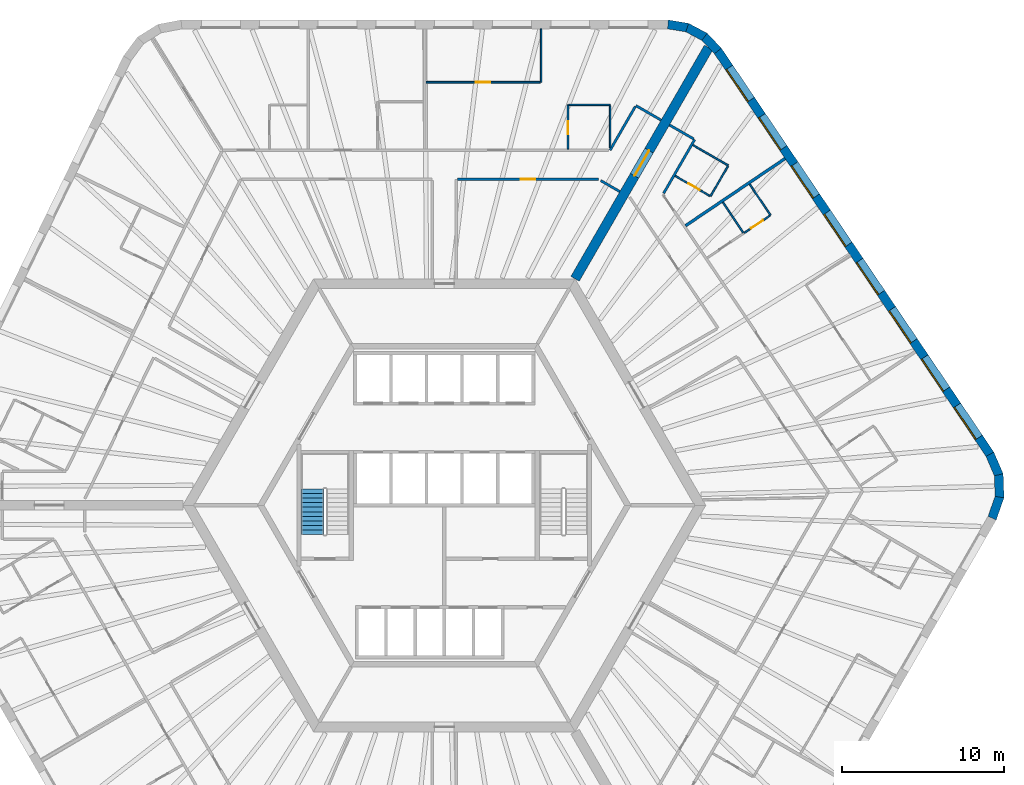
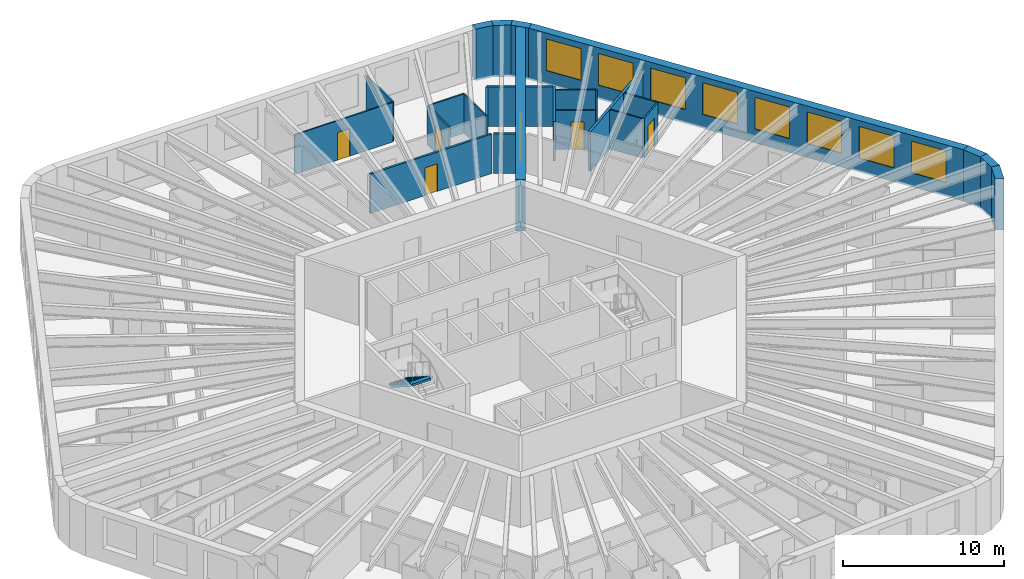
# One storey, part 10 of 12: 26 walls, 8 windows, 6 doors, 1 stair flight, 14 openings, 1 element without a shape of its own.
"""IFC4 building model written with IfcOpenShell, lengths in metres."""

from ifc_helpers import new_model, si_unit, direction, frame, frame_2d, origin, place, context, subcontext, project, spatial, polyline, rectangle, outline, extrude, material, layer, layer_set, type_object, element, fill, aggregate, save


model = new_model("IFC4")

# Units and contexts
model_context = context("Model", 3, precision=1e-05, world=origin(), true_north=direction((0.0, 1.0)))
body_context = subcontext(model_context, "Body", "Model", "MODEL_VIEW")
ifc_project = project(units=[si_unit("LENGTHUNIT", "METRE"), si_unit("AREAUNIT", "SQUARE_METRE"), si_unit("VOLUMEUNIT", "CUBIC_METRE"), si_unit("PLANEANGLEUNIT", "RADIAN"), si_unit("MASSUNIT", "GRAM", prefix="KILO")], contexts=[model_context])

# Site, building, storey
site_placement = place(None, origin())
site = spatial("IfcSite", under=ifc_project, at=site_placement, CompositionType="ELEMENT")
building_placement = place(site_placement, origin())
building = spatial("IfcBuilding", under=site, at=building_placement, Name="Tarnside Tower", CompositionType="ELEMENT")
storey_placement = place(building_placement, frame((0.0, 0.0, 127.199951171875)))
storey = spatial("IfcBuildingStorey", under=building, at=storey_placement, Name="L29", CompositionType="ELEMENT", Elevation=127.199951171875)

# Wall, opening, door
ifc_material_1 = material(Name="Gypsum board partition on steel studs", Category="steel")
ifc_layer_1 = layer(ifc_material_1, 0.10009765625)
ifc_layer_set_1 = layer_set([ifc_layer_1], Name="Bathroom wall 100")
wall_type_1 = type_object("IfcWallType", Name="Bathroom wall 100", PredefinedType="PARTITIONING", material=ifc_layer_set_1)
wall_1_placement = place(storey_placement, frame((7.64794921875, 22.02490234375, 0.0), z_axis=(0.0, 0.0, 1.0), x_axis=(0.0, 1.0, 0.0)))
wall_1 = element("IfcWall", 1, at=wall_1_placement, inside=storey, type_object=wall_type_1, Name="Bathroom wall 09081", PredefinedType="PARTITIONING", context=body_context, shape_type="SweptSolid", body=[
    extrude(rectangle(XDim=2.72509765625, YDim=0.10009765625, at=frame_2d((1.362548828125, 0.0))), origin(), (0.0, 0.0, 1.0), 2.98779296875),
])
opening_1_placement = place(wall_1_placement, frame((0.925048828125, 0.0, 0.0)))
opening_1 = element("IfcOpeningElement", 2, at=opening_1_placement, cuts=wall_1, Name="Opening D-B1", PredefinedType="OPENING", context=body_context, shape_type="SweptSolid", body=[
    extrude(rectangle(XDim=0.800048828125, YDim=2.10009765625, at=frame_2d((0.39990234375, 1.050048828125))), frame((0.0, 0.06005859375, 0.0), z_axis=(0.0, -1.0, 0.0), x_axis=(1.0, 0.0, 0.0)), (0.0, 0.0, 1.0), 0.1201171875),
])
ifc_material_2 = material(Name="Timber door leaf", Category="wood")
door_type_1 = type_object("IfcDoorType", Name="Bathroom door 800", OperationType="NOTDEFINED", PredefinedType="DOOR", material=ifc_material_2)
door_1_placement = place(opening_1_placement, origin())
door_1 = element("IfcDoor", 3, at=door_1_placement, inside=storey, type_object=door_type_1, Name="Bathroom door 09002", OperationType="SINGLE_SWING_RIGHT", OverallHeight=2.10009765625, OverallWidth=0.800048828125, PredefinedType="DOOR", context=body_context, shape_type="SweptSolid", body=[
    extrude(rectangle(XDim=0.800048828125, YDim=2.10009765625, at=frame_2d((0.39990234375, 1.050048828125))), frame((0.0, 0.02490234375, 0.0), z_axis=(0.0, -1.0, 0.0), x_axis=(1.0, 0.0, 0.0)), (0.0, 0.0, 1.0), 0.050048828125),
])
fill(opening_1, door_1)

# Walls
wall_2_placement = place(storey_placement, frame((7.697998046875, 24.75, 0.0), z_axis=(0.0, 0.0, 1.0), x_axis=(1.0, 0.0, 0.0)))
element("IfcWall", 4, at=wall_2_placement, inside=storey, type_object=wall_type_1, Name="Bathroom wall 09082", PredefinedType="PARTITIONING", context=body_context, shape_type="SweptSolid", body=[
    extrude(rectangle(XDim=2.550048828125, YDim=0.10009765625, at=frame_2d((1.27490234375, 0.0))), origin(), (0.0, 0.0, 1.0), 2.98779296875),
])
wall_3_placement = place(storey_placement, frame((10.248046875, 24.699951171875, 0.0), z_axis=(0.0, 0.0, 1.0), x_axis=(0.0, -1.0, 0.0)))
element("IfcWall", 5, at=wall_3_placement, inside=storey, type_object=wall_type_1, Name="Bathroom wall 09083", PredefinedType="PARTITIONING", context=body_context, shape_type="SweptSolid", body=[
    extrude(rectangle(XDim=2.599853515625, YDim=0.10009765625, at=frame_2d((1.2998046875, 0.0))), origin(), (0.0, 0.0, 1.0), 2.98779296875),
])
wall_4_placement = place(storey_placement, frame((18.48388671875, 16.856689453125, 0.0), z_axis=(0.0, 0.0, 1.0), x_axis=(-0.559203826655, 0.82903020467, 0.0)))
element("IfcWall", 6, at=wall_4_placement, inside=storey, type_object=wall_type_1, Name="Bathroom wall 09168", PredefinedType="PARTITIONING", context=body_context, shape_type="SweptSolid", body=[
    extrude(rectangle(XDim=2.26025390625, YDim=0.10009765625, at=frame_2d((1.130126953125, 0.0))), origin(), (0.0, 0.0, 1.0), 2.98779296875),
])
wall_5_placement = place(storey_placement, frame((15.36865234375, 22.26953125, 0.0), z_axis=(0.0, 0.0, 1.0), x_axis=(0.866039067339, -0.499976333282, 0.0)))
element("IfcWall", 7, at=wall_5_placement, inside=storey, type_object=wall_type_1, Name="Bathroom wall 09171", PredefinedType="PARTITIONING", context=body_context, shape_type="SweptSolid", body=[
    extrude(rectangle(XDim=2.52490234375, YDim=0.10009765625, at=frame_2d((1.262451171875, 0.0))), origin(), (0.0, 0.0, 1.0), 2.98779296875),
])
wall_6_placement = place(storey_placement, frame((17.530517578125, 20.963623046875, 0.0), z_axis=(0.0, 0.0, 1.0), x_axis=(-0.500010803666, -0.866019166195, 0.0)))
element("IfcWall", 8, at=wall_6_placement, inside=storey, type_object=wall_type_1, Name="Bathroom wall 09172", PredefinedType="PARTITIONING", context=body_context, shape_type="SweptSolid", body=[
    extrude(rectangle(XDim=2.14990234375, YDim=0.10009765625, at=frame_2d((1.074951171875, 0.0))), origin(), (0.0, 0.0, 1.0), 2.98779296875),
])

# Wall, opening, door
wall_7_placement = place(storey_placement, frame((16.412109375, 19.126708984375, 0.0), z_axis=(0.0, 0.0, 1.0), x_axis=(-0.866006523861, 0.500032699561, 0.0)))
wall_7 = element("IfcWall", 9, at=wall_7_placement, inside=storey, type_object=wall_type_1, Name="Bathroom wall 09173", PredefinedType="PARTITIONING", context=body_context, shape_type="SweptSolid", body=[
    extrude(rectangle(XDim=2.474853515625, YDim=0.10009765625, at=frame_2d((1.2373046875, 0.0))), origin(), (0.0, 0.0, 1.0), 2.98779296875),
])
opening_2_placement = place(wall_7_placement, frame((0.719970703125, 0.0, 0.0)))
opening_2 = element("IfcOpeningElement", 10, at=opening_2_placement, cuts=wall_7, Name="Opening D-B1", PredefinedType="OPENING", context=body_context, shape_type="SweptSolid", body=[
    extrude(rectangle(XDim=0.800048828125, YDim=2.10009765625, at=frame_2d((0.39990234375, 1.050048828125))), frame((0.0, 0.06005859375, 0.0), z_axis=(0.0, -1.0, 0.0), x_axis=(1.0, 0.0, 0.0)), (0.0, 0.0, 1.0), 0.1201171875),
])
door_2_placement = place(opening_2_placement, origin())
door_2 = element("IfcDoor", 11, at=door_2_placement, inside=storey, type_object=door_type_1, Name="Bathroom door 09044", OperationType="SINGLE_SWING_RIGHT", OverallHeight=2.10009765625, OverallWidth=0.800048828125, PredefinedType="DOOR", context=body_context, shape_type="SweptSolid", body=[
    extrude(rectangle(XDim=0.800048828125, YDim=2.10009765625, at=frame_2d((0.39990234375, 1.050048828125))), frame((0.0, 0.02490234375, 0.0), z_axis=(0.0, -1.0, 0.0), x_axis=(1.0, 0.0, 0.0)), (0.0, 0.0, 1.0), 0.050048828125),
])
fill(opening_2, door_2)

ifc_material_3 = material(Name="Concrete C80/95", Category="concrete")
ifc_layer_2 = layer(ifc_material_3, 0.60009765625)
ifc_layer_set_2 = layer_set([ifc_layer_2], Name="Core wall Z1 600 C80/95")
wall_type_2 = type_object("IfcWallType", Name="Core wall Z1 600 C80/95", PredefinedType="SHEAR", material=ifc_layer_set_2)
wall_8_placement = place(storey_placement, frame((8.0830078125, 14.0, -0.14990234375), z_axis=(0.0, 0.0, 1.0), x_axis=(0.499997680643, 0.866026742862, 0.0)))
wall_8 = element("IfcWall", 12, at=wall_8_placement, inside=storey, type_object=wall_type_2, Name="L29 spine wall 1", PredefinedType="SHEAR", context=body_context, shape_type="SweptSolid", body=[
    extrude(rectangle(XDim=16.5087890625, YDim=0.60009765625, at=frame_2d((8.25439453125, 0.0))), origin(), (0.0, 0.0, 1.0), 3.89990234375),
])
opening_3_placement = place(wall_8_placement, frame((7.3544921875, 0.0, 0.14990234375)))
opening_3 = element("IfcOpeningElement", 13, at=opening_3_placement, cuts=wall_8, Name="Opening CD-SPN", PredefinedType="OPENING", context=body_context, shape_type="SweptSolid", body=[
    extrude(rectangle(XDim=1.800048828125, YDim=2.39990234375, at=frame_2d((0.89990234375, 1.199951171875))), frame((0.0, 0.31005859375, 0.0), z_axis=(0.0, -1.0, 0.0), x_axis=(1.0, 0.0, 0.0)), (0.0, 0.0, 1.0), 0.6201171875),
])
ifc_material_4 = material(Name="Steel fire door", Category="steel")
door_type_2 = type_object("IfcDoorType", Name="Spine passage double door FD60 1800x2400", OperationType="NOTDEFINED", PredefinedType="DOOR", material=ifc_material_4)
door_3_placement = place(opening_3_placement, origin())
door_3 = element("IfcDoor", 14, at=door_3_placement, inside=storey, type_object=door_type_2, Name="L29 spine passage door 1", OperationType="DOUBLE_DOOR_SINGLE_SWING", OverallHeight=2.39990234375, OverallWidth=1.800048828125, PredefinedType="DOOR", context=body_context, shape_type="SweptSolid", body=[
    extrude(rectangle(XDim=1.800048828125, YDim=2.39990234375, at=frame_2d((0.89990234375, 1.199951171875))), frame((0.0, 0.02490234375, 0.0), z_axis=(0.0, -1.0, 0.0), x_axis=(1.0, 0.0, 0.0)), (0.0, 0.0, 1.0), 0.050048828125),
])
fill(opening_3, door_3)

# Walls
ifc_layer_3 = layer(ifc_material_1, 0.14990234375)
ifc_layer_set_3 = layer_set([ifc_layer_3], Name="Corridor wall 150 EI 60")
wall_type_3 = type_object("IfcWallType", Name="Corridor wall 150 EI 60", PredefinedType="PARTITIONING", material=ifc_layer_set_3)
wall_9_placement = place(storey_placement, frame((13.400390625, 23.81005859375, 0.0), z_axis=(0.0, 0.0, 1.0), x_axis=(-0.865989075817, 0.500062916607, 0.0)))
element("IfcWall", 15, at=wall_9_placement, inside=storey, type_object=wall_type_3, Name="Corridor wall 09002", PredefinedType="PARTITIONING", context=body_context, shape_type="SweptSolid", body=[
    extrude(rectangle(XDim=1.800048828125, YDim=0.14990234375, at=frame_2d((0.89990234375, 0.0))), origin(), (0.0, 0.0, 1.0), 2.98779296875),
])
wall_10_placement = place(storey_placement, frame((11.803955078125, 24.64501953125, 0.0), z_axis=(0.0, 0.0, 1.0), x_axis=(-0.499978251519, -0.866037959912, 0.0)))
element("IfcWall", 16, at=wall_10_placement, inside=storey, type_object=wall_type_3, Name="Corridor wall 09003", PredefinedType="PARTITIONING", context=body_context, shape_type="SweptSolid", body=[
    extrude(rectangle(XDim=3.112060546875, YDim=0.14990234375, at=frame_2d((1.55615234375, 0.0))), origin(), (0.0, 0.0, 1.0), 2.98779296875),
])

# Wall, opening, door
wall_11_placement = place(storey_placement, frame((0.824951171875, 20.14990234375, 0.0), z_axis=(0.0, 0.0, 1.0), x_axis=(1.0, 0.0, 0.0)))
wall_11 = element("IfcWall", 17, at=wall_11_placement, inside=storey, type_object=wall_type_3, Name="Corridor wall 09023", PredefinedType="PARTITIONING", context=body_context, shape_type="SweptSolid", body=[
    extrude(rectangle(XDim=8.712158203125, YDim=0.14990234375, at=frame_2d((4.35595703125, 0.0))), origin(), (0.0, 0.0, 1.0), 2.98779296875),
])
opening_4_placement = place(wall_11_placement, frame((3.906005859375, 0.0, 0.0)))
opening_4 = element("IfcOpeningElement", 18, at=opening_4_placement, cuts=wall_11, Name="Opening D-S1", PredefinedType="OPENING", context=body_context, shape_type="SweptSolid", body=[
    extrude(rectangle(XDim=0.89990234375, YDim=2.10009765625, at=frame_2d((0.449951171875, 1.050048828125))), frame((0.0, 0.0849609375, 0.0), z_axis=(0.0, -1.0, 0.0), x_axis=(1.0, 0.0, 0.0)), (0.0, 0.0, 1.0), 0.169921875),
])
door_type_3 = type_object("IfcDoorType", Name="Service room door 900 FD30S", OperationType="NOTDEFINED", PredefinedType="DOOR", material=ifc_material_2)
door_4_placement = place(opening_4_placement, origin())
door_4 = element("IfcDoor", 19, at=door_4_placement, inside=storey, type_object=door_type_3, Name="Service door 09047", OperationType="SINGLE_SWING_RIGHT", OverallHeight=2.10009765625, OverallWidth=0.89990234375, PredefinedType="DOOR", context=body_context, shape_type="SweptSolid", body=[
    extrude(rectangle(XDim=0.89990234375, YDim=2.10009765625, at=frame_2d((0.449951171875, 1.050048828125))), frame((0.0, 0.02490234375, 0.0), z_axis=(0.0, -1.0, 0.0), x_axis=(1.0, 0.0, 0.0)), (0.0, 0.0, 1.0), 0.050048828125),
])
fill(opening_4, door_4)

# Walls
wall_12_placement = place(storey_placement, frame((9.6669921875, 20.074951171875, 0.0), z_axis=(0.0, 0.0, 1.0), x_axis=(0.866000994684, -0.500042275419, 0.0)))
element("IfcWall", 20, at=wall_12_placement, inside=storey, type_object=wall_type_3, Name="Corridor wall 09024", PredefinedType="PARTITIONING", context=body_context, shape_type="SweptSolid", body=[
    extrude(rectangle(XDim=1.36572265625, YDim=0.14990234375, at=frame_2d((0.682861328125, 0.0))), origin(), (0.0, 0.0, 1.0), 2.98779296875),
])
wall_13_placement = place(storey_placement, frame((13.55908203125, 19.284912109375, 0.0), z_axis=(0.0, 0.0, 1.0), x_axis=(0.499975646431, 0.866039463868, 0.0)))
element("IfcWall", 21, at=wall_13_placement, inside=storey, type_object=wall_type_3, Name="Corridor wall 09066", PredefinedType="PARTITIONING", context=body_context, shape_type="SweptSolid", body=[
    extrude(rectangle(XDim=3.839599609375, YDim=0.14990234375, at=frame_2d((1.919921875, 0.0))), origin(), (0.0, 0.0, 1.0), 2.98779296875),
])
wall_14_placement = place(storey_placement, frame((15.413818359375, 22.647705078125, 0.0), z_axis=(0.0, 0.0, 1.0), x_axis=(-0.866074815912, 0.499914405916, 0.0)))
element("IfcWall", 22, at=wall_14_placement, inside=storey, type_object=wall_type_3, Name="Corridor wall 09067", PredefinedType="PARTITIONING", context=body_context, shape_type="SweptSolid", body=[
    extrude(rectangle(XDim=1.724853515625, YDim=0.14990234375, at=frame_2d((0.8623046875, 0.0))), origin(), (0.0, 0.0, 1.0), 2.98779296875),
])
ifc_layer_4 = layer(ifc_material_1, 0.179931640625)
ifc_layer_set_4 = layer_set([ifc_layer_4], Name="Demising wall 180 EI 60")
wall_type_4 = type_object("IfcWallType", Name="Demising wall 180 EI 60", PredefinedType="PARTITIONING", material=ifc_layer_set_4)
wall_15_placement = place(storey_placement, frame((21.066162109375, 21.433349609375, 0.0), z_axis=(0.0, 0.0, 1.0), x_axis=(-0.829028170871, -0.559206841788, 0.0)))
element("IfcWall", 23, at=wall_15_placement, inside=storey, type_object=wall_type_4, Name="Demising wall 09167", PredefinedType="PARTITIONING", context=body_context, shape_type="SweptSolid", body=[
    extrude(rectangle(XDim=7.425048828125, YDim=0.179931640625, at=frame_2d((3.71240234375, 0.0))), origin(), (0.0, 0.0, 1.0), 2.98779296875),
])
ifc_layer_5 = layer(ifc_material_1, 0.10009765625)
ifc_layer_set_5 = layer_set([ifc_layer_5], Name="Partition 100")
wall_type_5 = type_object("IfcWallType", Name="Partition 100", PredefinedType="PARTITIONING", material=ifc_layer_set_5)
wall_16_placement = place(storey_placement, frame((5.989013671875, 29.449951171875, 0.0), z_axis=(0.0, 0.0, 1.0), x_axis=(0.0, -1.0, 0.0)))
element("IfcWall", 24, at=wall_16_placement, inside=storey, type_object=wall_type_5, Name="Partition wall 09084", PredefinedType="PARTITIONING", context=body_context, shape_type="SweptSolid", body=[
    extrude(rectangle(XDim=3.300048828125, YDim=0.10009765625, at=frame_2d((1.64990234375, 0.0))), origin(), (0.0, 0.0, 1.0), 2.98779296875),
])

# Wall, opening, door
wall_17_placement = place(storey_placement, frame((5.93896484375, 26.14990234375, 0.0), z_axis=(0.0, 0.0, 1.0), x_axis=(-1.0, 0.0, 0.0)))
wall_17 = element("IfcWall", 25, at=wall_17_placement, inside=storey, type_object=wall_type_5, Name="Partition wall 09085", PredefinedType="PARTITIONING", context=body_context, shape_type="SweptSolid", body=[
    extrude(rectangle(XDim=7.06005859375, YDim=0.10009765625, at=frame_2d((3.530029296875, 0.0))), origin(), (0.0, 0.0, 1.0), 2.98779296875),
])
opening_5_placement = place(wall_17_placement, frame((3.10009765625, 0.0, 0.0)))
opening_5 = element("IfcOpeningElement", 26, at=opening_5_placement, cuts=wall_17, Name="Opening D-I1", PredefinedType="OPENING", context=body_context, shape_type="SweptSolid", body=[
    extrude(rectangle(XDim=0.89990234375, YDim=2.10009765625, at=frame_2d((0.449951171875, 1.050048828125))), frame((0.0, 0.06005859375, 0.0), z_axis=(0.0, -1.0, 0.0), x_axis=(1.0, 0.0, 0.0)), (0.0, 0.0, 1.0), 0.1201171875),
])
door_type_4 = type_object("IfcDoorType", Name="Internal door 900", OperationType="NOTDEFINED", PredefinedType="DOOR", material=ifc_material_2)
door_5_placement = place(opening_5_placement, origin())
door_5 = element("IfcDoor", 27, at=door_5_placement, inside=storey, type_object=door_type_4, Name="Internal door 09003", OperationType="SINGLE_SWING_RIGHT", OverallHeight=2.10009765625, OverallWidth=0.89990234375, PredefinedType="DOOR", context=body_context, shape_type="SweptSolid", body=[
    extrude(rectangle(XDim=0.89990234375, YDim=2.10009765625, at=frame_2d((0.449951171875, 1.050048828125))), frame((0.0, 0.02490234375, 0.0), z_axis=(0.0, -1.0, 0.0), x_axis=(1.0, 0.0, 0.0)), (0.0, 0.0, 1.0), 0.050048828125),
])
fill(opening_5, door_5)

# Wall
wall_18_placement = place(storey_placement, frame((18.878173828125, 19.848876953125, 0.0), z_axis=(0.0, 0.0, 1.0), x_axis=(0.559204176839, -0.829029968461, 0.0)))
element("IfcWall", 28, at=wall_18_placement, inside=storey, type_object=wall_type_5, Name="Partition wall 09163", PredefinedType="PARTITIONING", context=body_context, shape_type="SweptSolid", body=[
    extrude(rectangle(XDim=2.31005859375, YDim=0.10009765625, at=frame_2d((1.155029296875, 0.0))), origin(), (0.0, 0.0, 1.0), 2.98779296875),
])

# Wall, opening, door
wall_19_placement = place(storey_placement, frame((20.12841796875, 17.90576171875, 0.0), z_axis=(0.0, 0.0, 1.0), x_axis=(-0.82903334026, -0.559199178055, 0.0)))
wall_19 = element("IfcWall", 29, at=wall_19_placement, inside=storey, type_object=wall_type_5, Name="Partition wall 09164", PredefinedType="PARTITIONING", context=body_context, shape_type="SweptSolid", body=[
    extrude(rectangle(XDim=1.900146484375, YDim=0.10009765625, at=frame_2d((0.9501953125, 0.0))), origin(), (0.0, 0.0, 1.0), 2.98779296875),
])
opening_6_placement = place(wall_19_placement, frame((0.5, 0.0, 0.0)))
opening_6 = element("IfcOpeningElement", 30, at=opening_6_placement, cuts=wall_19, Name="Opening D-I1", PredefinedType="OPENING", context=body_context, shape_type="SweptSolid", body=[
    extrude(rectangle(XDim=0.89990234375, YDim=2.10009765625, at=frame_2d((0.449951171875, 1.050048828125))), frame((0.0, 0.06005859375, 0.0), z_axis=(0.0, -1.0, 0.0), x_axis=(1.0, 0.0, 0.0)), (0.0, 0.0, 1.0), 0.1201171875),
])
door_6_placement = place(opening_6_placement, origin())
door_6 = element("IfcDoor", 31, at=door_6_placement, inside=storey, type_object=door_type_4, Name="Internal door 09041", OperationType="SINGLE_SWING_RIGHT", OverallHeight=2.10009765625, OverallWidth=0.89990234375, PredefinedType="DOOR", context=body_context, shape_type="SweptSolid", body=[
    extrude(rectangle(XDim=0.89990234375, YDim=2.10009765625, at=frame_2d((0.449951171875, 1.050048828125))), frame((0.0, 0.02490234375, 0.0), z_axis=(0.0, -1.0, 0.0), x_axis=(1.0, 0.0, 0.0)), (0.0, 0.0, 1.0), 0.050048828125),
])
fill(opening_6, door_6)

# Walls
ifc_material_5 = material(Name="Facing brick", Category="masonry")
ifc_layer_6 = layer(ifc_material_5, 0.10205078125)
ifc_material_6 = material(Name="Concrete C60/75 precast", Category="concrete")
ifc_layer_7 = layer(ifc_material_6, 0.347900390625)
ifc_material_7 = material(Name="Mineral wool insulation")
ifc_layer_8 = layer(ifc_material_7, 0.10009765625)
ifc_layer_set_6 = layer_set([ifc_layer_6, ifc_layer_7, ifc_layer_8], Name="Tube wall 550 brick faced")
wall_type_6 = type_object("IfcWallType", Name="Tube wall 550 brick faced", PredefinedType="SOLIDWALL", material=ifc_layer_set_6)
wall_20_placement = place(storey_placement, frame((33.865966796875, -0.79248046875, -0.14990234375), z_axis=(0.0, 0.0, 1.0), x_axis=(0.33111537203, 0.943590276765, 0.0)))
element("IfcWall", 32, at=wall_20_placement, inside=storey, type_object=wall_type_6, Name="Tube wall L29 F5 chord 17", PredefinedType="SOLIDWALL", context=body_context, shape_type="SweptSolid", body=[
    extrude(outline(polyline([(-0.025634765625, -0.27490234375), (1.4306640625, -0.27490234375), (1.3271484375, 0.27490234375), (0.025634765625, 0.27490234375), (-0.025634765625, -0.27490234375)])), origin(), (0.0, 0.0, 1.0), 3.89990234375),
])
wall_21_placement = place(storey_placement, frame((34.322509765625, 0.508544921875, -0.14990234375), z_axis=(0.0, 0.0, 1.0), x_axis=(-0.034876908462, 0.999391615562, 0.0)))
element("IfcWall", 33, at=wall_21_placement, inside=storey, type_object=wall_type_6, Name="Tube wall L29 F5 chord 18", PredefinedType="SOLIDWALL", context=body_context, shape_type="SweptSolid", body=[
    extrude(outline(polyline([(-0.0517578125, -0.27490234375), (1.4306640625, -0.27490234375), (1.3271484375, 0.27490234375), (0.0517578125, 0.27490234375), (-0.0517578125, -0.27490234375)])), origin(), (0.0, 0.0, 1.0), 3.89990234375),
])
wall_22_placement = place(storey_placement, frame((34.2744140625, 1.88671875, -0.14990234375), z_axis=(0.0, 0.0, 1.0), x_axis=(-0.396161342798, 0.918180913803, 0.0)))
element("IfcWall", 34, at=wall_22_placement, inside=storey, type_object=wall_type_6, Name="Tube wall L29 F5 chord 19", PredefinedType="SOLIDWALL", context=body_context, shape_type="SweptSolid", body=[
    extrude(outline(polyline([(-0.0517578125, -0.27490234375), (1.40478515625, -0.27490234375), (1.353515625, 0.27490234375), (0.0517578125, 0.27490234375), (-0.0517578125, -0.27490234375)])), origin(), (0.0, 0.0, 1.0), 3.89990234375),
])

# Wall, openings, windows
wall_23_placement = place(storey_placement, frame((33.72802734375, 3.153076171875, -0.14990234375), z_axis=(0.0, 0.0, 1.0), x_axis=(-0.559192411416, 0.82903790445, 0.0)))
wall_23 = element("IfcWall", 35, at=wall_23_placement, inside=storey, type_object=wall_type_6, Name="Tube wall L29 F6 flush 20", PredefinedType="SOLIDWALL", context=body_context, shape_type="SweptSolid", body=[
    extrude(outline(polyline([(-0.025634765625, -0.27490234375), (30.09326171875, -0.27490234375), (30.04833984375, 0.27490234375), (0.025634765625, 0.27490234375), (-0.025634765625, -0.27490234375)])), origin(), (0.0, 0.0, 1.0), 3.89990234375),
])
opening_7_placement = place(wall_23_placement, frame((1.235595703125, 0.0, 1.050048828125)))
opening_7 = element("IfcOpeningElement", 36, at=opening_7_placement, cuts=wall_23, Name="Opening WH", PredefinedType="OPENING", context=body_context, shape_type="SweptSolid", body=[
    extrude(rectangle(XDim=2.39990234375, YDim=2.39990234375, at=frame_2d((1.199951171875, 1.199951171875))), frame((0.0, 0.28515625, 0.0), z_axis=(0.0, -1.0, 0.0), x_axis=(1.0, 0.0, 0.0)), (0.0, 0.0, 1.0), 0.570068359375),
])
opening_8_placement = place(wall_23_placement, frame((4.83544921875, 0.0, 1.050048828125)))
opening_8 = element("IfcOpeningElement", 37, at=opening_8_placement, cuts=wall_23, Name="Opening WH", PredefinedType="OPENING", context=body_context, shape_type="SweptSolid", body=[
    extrude(rectangle(XDim=2.39990234375, YDim=2.39990234375, at=frame_2d((1.199951171875, 1.199951171875))), frame((0.0, 0.28515625, 0.0), z_axis=(0.0, -1.0, 0.0), x_axis=(1.0, 0.0, 0.0)), (0.0, 0.0, 1.0), 0.570068359375),
])
opening_9_placement = place(wall_23_placement, frame((8.435546875, 0.0, 1.050048828125)))
opening_9 = element("IfcOpeningElement", 38, at=opening_9_placement, cuts=wall_23, Name="Opening WH", PredefinedType="OPENING", context=body_context, shape_type="SweptSolid", body=[
    extrude(rectangle(XDim=2.39990234375, YDim=2.39990234375, at=frame_2d((1.199951171875, 1.199951171875))), frame((0.0, 0.28515625, 0.0), z_axis=(0.0, -1.0, 0.0), x_axis=(1.0, 0.0, 0.0)), (0.0, 0.0, 1.0), 0.570068359375),
])
opening_10_placement = place(wall_23_placement, frame((12.035400390625, 0.0, 1.050048828125)))
opening_10 = element("IfcOpeningElement", 39, at=opening_10_placement, cuts=wall_23, Name="Opening WH", PredefinedType="OPENING", context=body_context, shape_type="SweptSolid", body=[
    extrude(rectangle(XDim=2.39990234375, YDim=2.39990234375, at=frame_2d((1.199951171875, 1.199951171875))), frame((0.0, 0.28515625, 0.0), z_axis=(0.0, -1.0, 0.0), x_axis=(1.0, 0.0, 0.0)), (0.0, 0.0, 1.0), 0.570068359375),
])
opening_11_placement = place(wall_23_placement, frame((15.635498046875, 0.0, 1.050048828125)))
opening_11 = element("IfcOpeningElement", 40, at=opening_11_placement, cuts=wall_23, Name="Opening WH", PredefinedType="OPENING", context=body_context, shape_type="SweptSolid", body=[
    extrude(rectangle(XDim=2.39990234375, YDim=2.39990234375, at=frame_2d((1.199951171875, 1.199951171875))), frame((0.0, 0.28515625, 0.0), z_axis=(0.0, -1.0, 0.0), x_axis=(1.0, 0.0, 0.0)), (0.0, 0.0, 1.0), 0.570068359375),
])
opening_12_placement = place(wall_23_placement, frame((19.235595703125, 0.0, 1.050048828125)))
opening_12 = element("IfcOpeningElement", 41, at=opening_12_placement, cuts=wall_23, Name="Opening WH", PredefinedType="OPENING", context=body_context, shape_type="SweptSolid", body=[
    extrude(rectangle(XDim=2.39990234375, YDim=2.39990234375, at=frame_2d((1.199951171875, 1.199951171875))), frame((0.0, 0.28515625, 0.0), z_axis=(0.0, -1.0, 0.0), x_axis=(1.0, 0.0, 0.0)), (0.0, 0.0, 1.0), 0.570068359375),
])
opening_13_placement = place(wall_23_placement, frame((22.83544921875, 0.0, 1.050048828125)))
opening_13 = element("IfcOpeningElement", 42, at=opening_13_placement, cuts=wall_23, Name="Opening WH", PredefinedType="OPENING", context=body_context, shape_type="SweptSolid", body=[
    extrude(rectangle(XDim=2.39990234375, YDim=2.39990234375, at=frame_2d((1.199951171875, 1.199951171875))), frame((0.0, 0.28515625, 0.0), z_axis=(0.0, -1.0, 0.0), x_axis=(1.0, 0.0, 0.0)), (0.0, 0.0, 1.0), 0.570068359375),
])
opening_14_placement = place(wall_23_placement, frame((26.435546875, 0.0, 1.050048828125)))
opening_14 = element("IfcOpeningElement", 43, at=opening_14_placement, cuts=wall_23, Name="Opening WH", PredefinedType="OPENING", context=body_context, shape_type="SweptSolid", body=[
    extrude(rectangle(XDim=2.39990234375, YDim=2.39990234375, at=frame_2d((1.199951171875, 1.199951171875))), frame((0.0, 0.28515625, 0.0), z_axis=(0.0, -1.0, 0.0), x_axis=(1.0, 0.0, 0.0)), (0.0, 0.0, 1.0), 0.570068359375),
])
ifc_material_8 = material(Name="Aluminium-framed double glazing", Category="aluminium")
window_type = type_object("IfcWindowType", Name="Hotel window 2400 x 2400", PartitioningType="DOUBLE_PANEL_VERTICAL", PredefinedType="WINDOW", material=ifc_material_8)
window_1_placement = place(opening_7_placement, frame((0.0, 0.205078125, 0.0)))
window_1 = element("IfcWindow", 44, at=window_1_placement, inside=storey, type_object=window_type, Name="E.WN.L29.F6.00", OverallHeight=2.39990234375, OverallWidth=2.39990234375, PartitioningType="DOUBLE_PANEL_VERTICAL", PredefinedType="WINDOW", context=body_context, shape_type="SweptSolid", body=[
    extrude(rectangle(XDim=2.39990234375, YDim=2.39990234375, at=frame_2d((1.199951171875, 1.199951171875))), frame((0.0, 0.030029296875, 0.0), z_axis=(0.0, -1.0, 0.0), x_axis=(1.0, 0.0, 0.0)), (0.0, 0.0, 1.0), 0.06005859375),
])
fill(opening_7, window_1)
window_2_placement = place(opening_8_placement, frame((0.0, 0.205078125, 0.0)))
window_2 = element("IfcWindow", 45, at=window_2_placement, inside=storey, type_object=window_type, Name="E.WN.L29.F6.01", OverallHeight=2.39990234375, OverallWidth=2.39990234375, PartitioningType="DOUBLE_PANEL_VERTICAL", PredefinedType="WINDOW", context=body_context, shape_type="SweptSolid", body=[
    extrude(rectangle(XDim=2.39990234375, YDim=2.39990234375, at=frame_2d((1.199951171875, 1.199951171875))), frame((0.0, 0.030029296875, 0.0), z_axis=(0.0, -1.0, 0.0), x_axis=(1.0, 0.0, 0.0)), (0.0, 0.0, 1.0), 0.06005859375),
])
fill(opening_8, window_2)
window_3_placement = place(opening_9_placement, frame((0.0, 0.205078125, 0.0)))
window_3 = element("IfcWindow", 46, at=window_3_placement, inside=storey, type_object=window_type, Name="E.WN.L29.F6.02", OverallHeight=2.39990234375, OverallWidth=2.39990234375, PartitioningType="DOUBLE_PANEL_VERTICAL", PredefinedType="WINDOW", context=body_context, shape_type="SweptSolid", body=[
    extrude(rectangle(XDim=2.39990234375, YDim=2.39990234375, at=frame_2d((1.199951171875, 1.199951171875))), frame((0.0, 0.030029296875, 0.0), z_axis=(0.0, -1.0, 0.0), x_axis=(1.0, 0.0, 0.0)), (0.0, 0.0, 1.0), 0.06005859375),
])
fill(opening_9, window_3)
window_4_placement = place(opening_10_placement, frame((0.0, 0.205078125, 0.0)))
window_4 = element("IfcWindow", 47, at=window_4_placement, inside=storey, type_object=window_type, Name="E.WN.L29.F6.03", OverallHeight=2.39990234375, OverallWidth=2.39990234375, PartitioningType="DOUBLE_PANEL_VERTICAL", PredefinedType="WINDOW", context=body_context, shape_type="SweptSolid", body=[
    extrude(rectangle(XDim=2.39990234375, YDim=2.39990234375, at=frame_2d((1.199951171875, 1.199951171875))), frame((0.0, 0.030029296875, 0.0), z_axis=(0.0, -1.0, 0.0), x_axis=(1.0, 0.0, 0.0)), (0.0, 0.0, 1.0), 0.06005859375),
])
fill(opening_10, window_4)
window_5_placement = place(opening_11_placement, frame((0.0, 0.205078125, 0.0)))
window_5 = element("IfcWindow", 48, at=window_5_placement, inside=storey, type_object=window_type, Name="E.WN.L29.F6.04", OverallHeight=2.39990234375, OverallWidth=2.39990234375, PartitioningType="DOUBLE_PANEL_VERTICAL", PredefinedType="WINDOW", context=body_context, shape_type="SweptSolid", body=[
    extrude(rectangle(XDim=2.39990234375, YDim=2.39990234375, at=frame_2d((1.199951171875, 1.199951171875))), frame((0.0, 0.030029296875, 0.0), z_axis=(0.0, -1.0, 0.0), x_axis=(1.0, 0.0, 0.0)), (0.0, 0.0, 1.0), 0.06005859375),
])
fill(opening_11, window_5)
window_6_placement = place(opening_12_placement, frame((0.0, 0.205078125, 0.0)))
window_6 = element("IfcWindow", 49, at=window_6_placement, inside=storey, type_object=window_type, Name="E.WN.L29.F6.05", OverallHeight=2.39990234375, OverallWidth=2.39990234375, PartitioningType="DOUBLE_PANEL_VERTICAL", PredefinedType="WINDOW", context=body_context, shape_type="SweptSolid", body=[
    extrude(rectangle(XDim=2.39990234375, YDim=2.39990234375, at=frame_2d((1.199951171875, 1.199951171875))), frame((0.0, 0.030029296875, 0.0), z_axis=(0.0, -1.0, 0.0), x_axis=(1.0, 0.0, 0.0)), (0.0, 0.0, 1.0), 0.06005859375),
])
fill(opening_12, window_6)
window_7_placement = place(opening_13_placement, frame((0.0, 0.205078125, 0.0)))
window_7 = element("IfcWindow", 50, at=window_7_placement, inside=storey, type_object=window_type, Name="E.WN.L29.F6.06", OverallHeight=2.39990234375, OverallWidth=2.39990234375, PartitioningType="DOUBLE_PANEL_VERTICAL", PredefinedType="WINDOW", context=body_context, shape_type="SweptSolid", body=[
    extrude(rectangle(XDim=2.39990234375, YDim=2.39990234375, at=frame_2d((1.199951171875, 1.199951171875))), frame((0.0, 0.030029296875, 0.0), z_axis=(0.0, -1.0, 0.0), x_axis=(1.0, 0.0, 0.0)), (0.0, 0.0, 1.0), 0.06005859375),
])
fill(opening_13, window_7)
window_8_placement = place(opening_14_placement, frame((0.0, 0.205078125, 0.0)))
window_8 = element("IfcWindow", 51, at=window_8_placement, inside=storey, type_object=window_type, Name="E.WN.L29.F6.07", OverallHeight=2.39990234375, OverallWidth=2.39990234375, PartitioningType="DOUBLE_PANEL_VERTICAL", PredefinedType="WINDOW", context=body_context, shape_type="SweptSolid", body=[
    extrude(rectangle(XDim=2.39990234375, YDim=2.39990234375, at=frame_2d((1.199951171875, 1.199951171875))), frame((0.0, 0.030029296875, 0.0), z_axis=(0.0, -1.0, 0.0), x_axis=(1.0, 0.0, 0.0)), (0.0, 0.0, 1.0), 0.06005859375),
])
fill(opening_14, window_8)

# Walls
wall_24_placement = place(storey_placement, frame((16.91259765625, 28.0830078125, -0.14990234375), z_axis=(0.0, 0.0, 1.0), x_axis=(-0.686196220404, 0.727416488061, 0.0)))
element("IfcWall", 52, at=wall_24_placement, inside=storey, type_object=wall_type_6, Name="Tube wall L29 F6 chord 21", PredefinedType="SOLIDWALL", context=body_context, shape_type="SweptSolid", body=[
    extrude(outline(polyline([(-0.0224609375, -0.27490234375), (1.25341796875, -0.27490234375), (1.1630859375, 0.27490234375), (0.0224609375, 0.27490234375), (-0.0224609375, -0.27490234375)])), origin(), (0.0, 0.0, 1.0), 3.89990234375),
])
wall_25_placement = place(storey_placement, frame((16.08349609375, 28.9619140625, -0.14990234375), z_axis=(0.0, 0.0, 1.0), x_axis=(-0.882995347911, 0.469381737574, 0.0)))
element("IfcWall", 53, at=wall_25_placement, inside=storey, type_object=wall_type_6, Name="Tube wall L29 F6 chord 22", PredefinedType="SOLIDWALL", context=body_context, shape_type="SweptSolid", body=[
    extrude(outline(polyline([(-0.045166015625, -0.27490234375), (1.25341796875, -0.27490234375), (1.1630859375, 0.27490234375), (0.045166015625, 0.27490234375), (-0.045166015625, -0.27490234375)])), origin(), (0.0, 0.0, 1.0), 3.89990234375),
])
wall_26_placement = place(storey_placement, frame((15.0166015625, 29.529052734375, -0.14990234375), z_axis=(0.0, 0.0, 1.0), x_axis=(-0.986746625868, 0.162268593195, 0.0)))
element("IfcWall", 54, at=wall_26_placement, inside=storey, type_object=wall_type_6, Name="Tube wall L29 F6 chord 23", PredefinedType="SOLIDWALL", context=body_context, shape_type="SweptSolid", body=[
    extrude(outline(polyline([(-0.045166015625, -0.27490234375), (1.230712890625, -0.27490234375), (1.185791015625, 0.27490234375), (0.045166015625, 0.27490234375), (-0.045166015625, -0.27490234375)])), origin(), (0.0, 0.0, 1.0), 3.89990234375),
])

# Stair, stair flight
ifc_material_9 = material(Name="Concrete C40/50", Category="concrete")
stair_type = type_object("IfcStairType", Name="Exit stair 1400 clear", PredefinedType="HALF_TURN_STAIR", material=ifc_material_9)
stair_placement = place(storey_placement, origin())
stair = element("IfcStair", 55, at=stair_placement, inside=storey, type_object=stair_type, Name="L29 Exit stair 2", PredefinedType="HALF_TURN_STAIR")
stair_flight_type = type_object("IfcStairFlightType", Name="Exit stair flight 1400", PredefinedType="STRAIGHT", material=ifc_material_9)
stair_flight_placement = place(storey_placement, frame((-8.14990234375, 1.0, 1.949951171875), z_axis=(0.0, 0.0, 1.0), x_axis=(0.0, -1.0, 0.0)))
stair_flight = element("IfcStairFlight", 56, at=stair_flight_placement, type_object=stair_flight_type, Name="ST2 flight 2", NumberOfRisers=11, NumberOfTreads=10, PredefinedType="STRAIGHT", RiserHeight=0.177272727, TreadLength=0.28, context=body_context, shape_type="SweptSolid", body=[
    extrude(outline(polyline([(0.0, 0.0), (0.0, 0.17724609375), (0.280029296875, 0.17724609375), (0.280029296875, 0.3544921875), (0.56005859375, 0.3544921875), (0.56005859375, 0.53173828125), (0.840087890625, 0.53173828125), (0.840087890625, 0.708984375), (1.1201171875, 0.708984375), (1.1201171875, 0.886474609375), (1.39990234375, 0.886474609375), (1.39990234375, 1.063720703125), (1.679931640625, 1.063720703125), (1.679931640625, 1.240966796875), (1.9599609375, 1.240966796875), (1.9599609375, 1.418212890625), (2.239990234375, 1.418212890625), (2.239990234375, 1.595458984375), (2.52001953125, 1.595458984375), (2.52001953125, 1.772705078125), (2.800048828125, 1.772705078125), (2.800048828125, 1.949951171875), (2.800048828125, 1.59521484375), (0.2802734375, 0.0), (0.0, 0.0)])), frame((0.0, 0.699951171875, 0.0), z_axis=(0.0, -1.0, 0.0), x_axis=(1.0, 0.0, 0.0)), (0.0, 0.0, 1.0), 1.39990234375),
])
aggregate(stair, [stair_flight])

save(model, "model.ifc")
